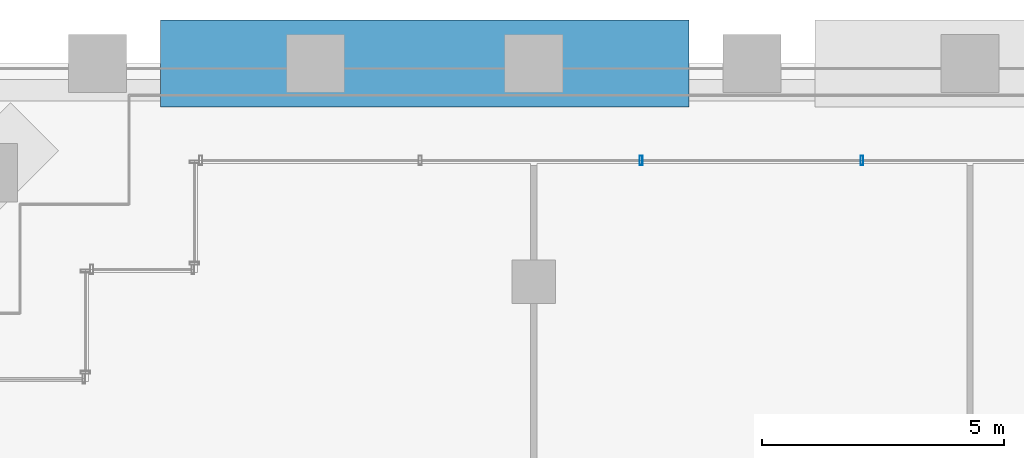
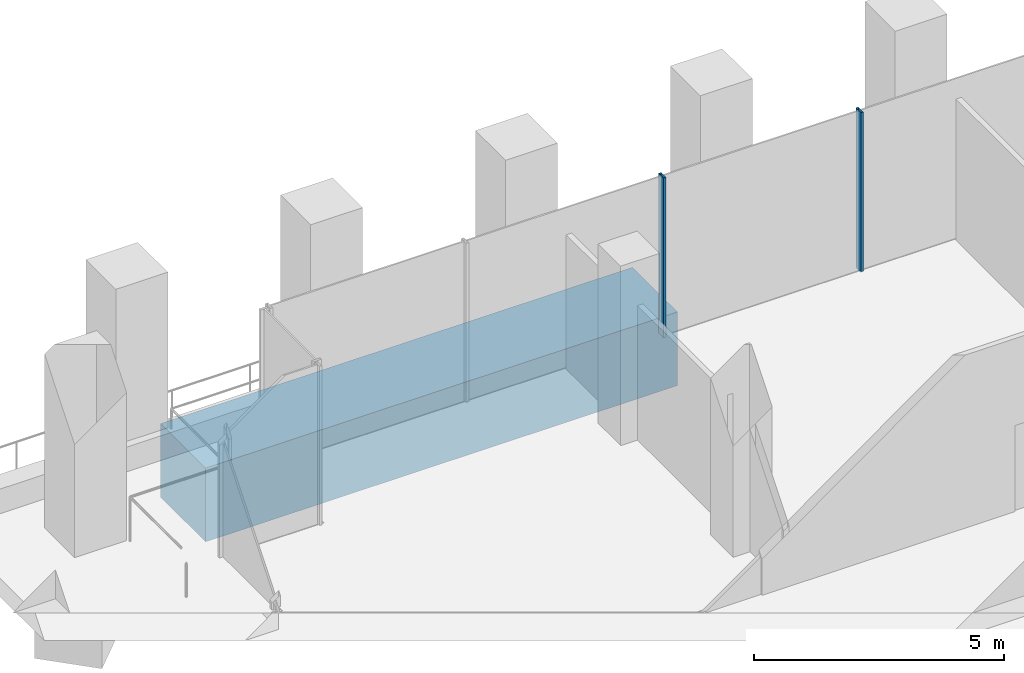
# One storey, part 10 of 32: 2 members, 1 beam, 1 element without a shape of its own.
"""IFC4 building model written with IfcOpenShell, lengths in metres."""

from ifc_helpers import new_model, si_unit, direction, frame, origin, origin_2d, place, context, subcontext, project, spatial, rectangle, hollow_rectangle, extrude, material, material_profile, profile_set, type_object, element, aggregate, save


model = new_model("IFC4")

# Units and contexts
model_context = context("Model", 3, precision=1e-05, world=origin(), true_north=direction((0.0, 1.0)))
body_context = subcontext(model_context, "Body", "Model", "MODEL_VIEW")
ifc_project = project(units=[si_unit("LENGTHUNIT", "METRE"), si_unit("AREAUNIT", "SQUARE_METRE"), si_unit("VOLUMEUNIT", "CUBIC_METRE"), si_unit("PLANEANGLEUNIT", "RADIAN"), si_unit("MASSUNIT", "GRAM", prefix="KILO")], contexts=[model_context])

# Site, building, storey
site_placement = place(None, origin())
site = spatial("IfcSite", under=ifc_project, at=site_placement, CompositionType="ELEMENT")
building_placement = place(site_placement, origin())
building = spatial("IfcBuilding", under=site, at=building_placement, Name="Altepetl Exchange Towers", CompositionType="ELEMENT")
storey_placement = place(building_placement, frame((0.0, 0.0, 21.0)))
storey = spatial("IfcBuildingStorey", under=building, at=storey_placement, Name="L04", CompositionType="ELEMENT", Elevation=21.0)

# Curtain wall, members
ifc_material_1 = material(Name="Aluminium 6063-T6 glazing", Category="aluminium")
curtain_wall_type = type_object("IfcCurtainWallType", Name="Trading floor glazing system", PredefinedType="NOTDEFINED", material=ifc_material_1)
curtain_wall_placement = place(storey_placement, origin())
curtain_wall = element("IfcCurtainWall", 1, at=curtain_wall_placement, inside=storey, type_object=curtain_wall_type, Name="CW2 run", PredefinedType="NOTDEFINED")
ifc_material_2 = material(Name="Aluminium 6063-T6", Category="aluminium")
ifc_material_profile_1 = material_profile(ifc_material_2, hollow_rectangle(XDim=0.06005859375, YDim=0.199951171875, WallThickness=0.0029296875, at=origin_2d()), Name="Mullion 60x200 aluminium")
ifc_profile_set_1 = profile_set([ifc_material_profile_1], Name="Aluminium 6063-T6")
member_type = type_object("IfcMemberType", Name="Mullion 60x200 aluminium", PredefinedType="MULLION", material=ifc_profile_set_1)
member_1_placement = place(storey_placement, frame((47.271484375, 70.0, 0.0), z_axis=(0.0, 0.0, 1.0), x_axis=(-1.0, 0.0, 0.0)))
member_1 = element("IfcMember", 2, at=member_1_placement, type_object=member_type, Name="MU2 mullion", PredefinedType="MULLION", context=body_context, shape_type="SweptSolid", body=[
    extrude(hollow_rectangle(XDim=0.06005859375, YDim=0.199951171875, WallThickness=0.0029296875, at=origin_2d()), origin(), (0.0, 0.0, 1.0), 3.89990234375),
])
member_2_placement = place(storey_placement, frame((42.71435546875, 70.0, 0.0), z_axis=(0.0, 0.0, 1.0), x_axis=(-1.0, 0.0, 0.0)))
member_2 = element("IfcMember", 3, at=member_2_placement, type_object=member_type, Name="MU2 mullion", PredefinedType="MULLION", context=body_context, shape_type="SweptSolid", body=[
    extrude(hollow_rectangle(XDim=0.06005859375, YDim=0.199951171875, WallThickness=0.0029296875, at=origin_2d()), origin(), (0.0, 0.0, 1.0), 3.89990234375),
])
aggregate(curtain_wall, [member_1, member_2])

# Beam
ifc_material_3 = material(Name="Concrete C60/75", Category="concrete")
ifc_material_profile_2 = material_profile(ifc_material_3, rectangle(XDim=1.800048828125, YDim=1.800048828125, at=origin_2d()), Name="1800 x 1800")
ifc_profile_set_2 = profile_set([ifc_material_profile_2], Name="Concrete C60/75")
beam_type = type_object("IfcBeamType", Name="Transfer girder 1800x1800", PredefinedType="BEAM", material=ifc_profile_set_2)
beam_placement = place(storey_placement, frame((32.800048828125, 72.0, -1.35009765625), z_axis=(1.0, 0.0, 0.0), x_axis=(0.0, 1.0, 0.0)))
element("IfcBeam", 4, at=beam_placement, inside=storey, type_object=beam_type, Name="bm:A:L04:tg06", PredefinedType="BEAM", context=body_context, shape_type="SweptSolid", body=[
    extrude(rectangle(XDim=1.800048828125, YDim=1.800048828125, at=origin_2d()), origin(), (0.0, 0.0, 1.0), 10.89990234375),
])

save(model, "model.ifc")
